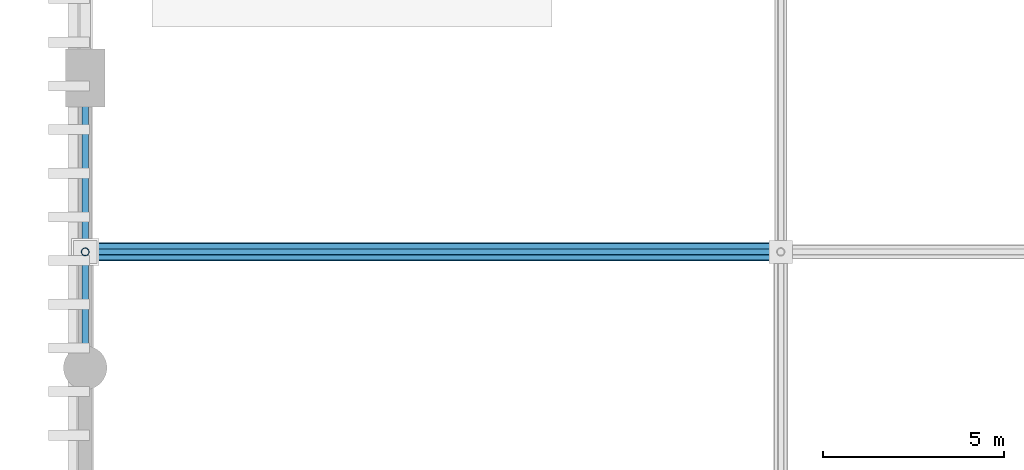
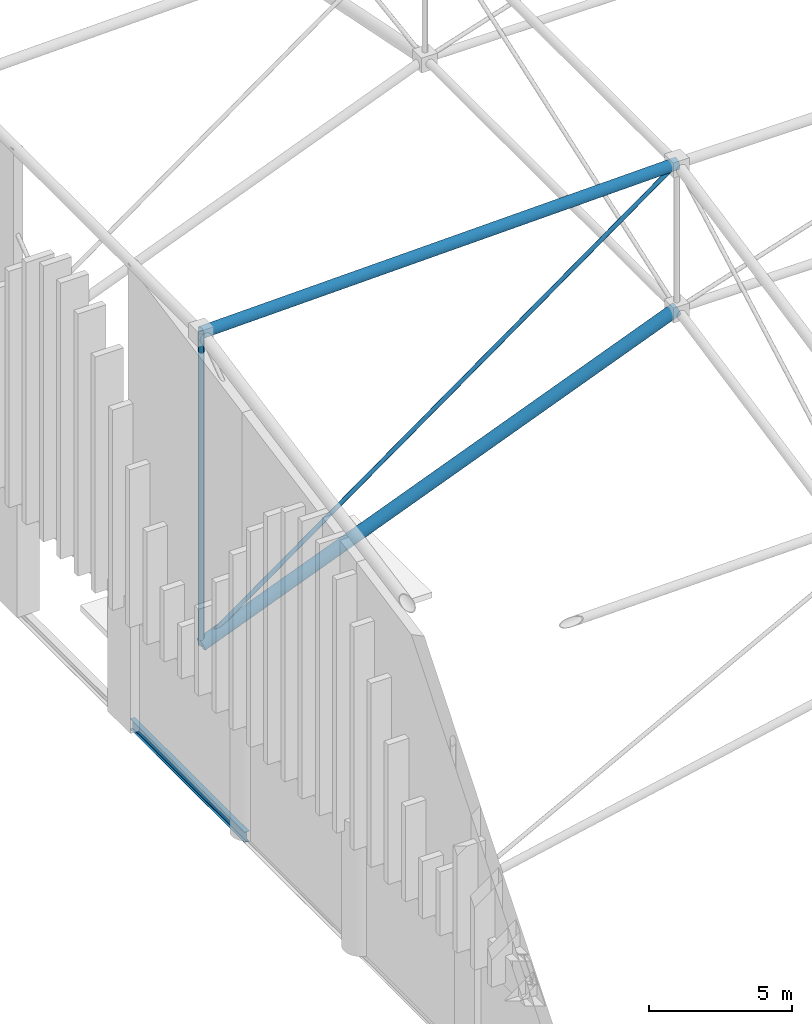
# One storey, part 51 of 193: 4 members, 1 beam.
"""IFC4 building model written with IfcOpenShell, lengths in metres."""

from ifc_helpers import new_model, si_unit, direction, frame, origin, origin_2d, place, context, subcontext, project, spatial, hollow_circle, i_section, extrude, material, material_profile, profile_set, type_object, element, save


model = new_model("IFC4")

# Units and contexts
model_context = context("Model", 3, precision=1e-05, world=origin(), true_north=direction((0.0, 1.0)))
body_context = subcontext(model_context, "Body", "Model", "MODEL_VIEW")
ifc_project = project(units=[si_unit("LENGTHUNIT", "METRE"), si_unit("AREAUNIT", "SQUARE_METRE"), si_unit("VOLUMEUNIT", "CUBIC_METRE"), si_unit("PLANEANGLEUNIT", "RADIAN"), si_unit("MASSUNIT", "GRAM", prefix="KILO")], contexts=[model_context])

# Site, building, storey
site_placement = place(None, origin())
site = spatial("IfcSite", under=ifc_project, at=site_placement, CompositionType="ELEMENT")
building_placement = place(site_placement, origin())
building = spatial("IfcBuilding", under=site, at=building_placement, Name="Danafjord Basin Convention Centre", CompositionType="ELEMENT")
storey_placement = place(building_placement, frame((0.0, 0.0, 11.39990234375)))
storey = spatial("IfcBuildingStorey", under=building, at=storey_placement, Name="L02", CompositionType="ELEMENT", Elevation=11.39990234375)

# Beam
ifc_material = material(Name="Steel S355", Category="steel")
ifc_material_profile_1 = material_profile(ifc_material, i_section(OverallWidth=0.18994140625, OverallDepth=0.449951171875, WebThickness=0.009521484375, FlangeThickness=0.0146484375, FilletRadius=0.02099609375, at=origin_2d()), Name="IPE 450")
ifc_profile_set_1 = profile_set([ifc_material_profile_1], Name="Steel S355")
beam_type = type_object("IfcBeamType", Name="BEAM-SP-IPE450", PredefinedType="SPANDREL", material=ifc_profile_set_1)
beam_placement = place(storey_placement, frame((0.0, 88.0, -0.224853515625), z_axis=(0.0, 1.0, 0.0), x_axis=(-1.0, 0.0, 0.0)))
element("IfcBeam", 1, at=beam_placement, inside=storey, type_object=beam_type, Name="L02 transverse girder SP-IPE450", PredefinedType="SPANDREL", context=body_context, shape_type="SweptSolid", body=[
    extrude(i_section(OverallWidth=0.18994140625, OverallDepth=0.449951171875, WebThickness=0.009521484375, FlangeThickness=0.0146484375, FilletRadius=0.02099609375, at=origin_2d()), origin(), (0.0, 0.0, 1.0), 8.0),
])

# Members
ifc_material_profile_2 = material_profile(ifc_material, hollow_circle(Radius=0.228515625, WallThickness=0.02001953125, at=origin_2d()), Name="CHS 457.0x20.0")
ifc_profile_set_2 = profile_set([ifc_material_profile_2], Name="Steel S355")
member_type_1 = type_object("IfcMemberType", Name="MEM-CH-CHS457", PredefinedType="CHORD", material=ifc_profile_set_2)
member_1_placement = place(storey_placement, frame((0.0, 91.199951171875, 19.360595703125), z_axis=(0.999667997744, 0.0, 0.025766146147), x_axis=(0.0, 1.0, 0.0)))
element("IfcMember", 2, at=member_1_placement, inside=storey, type_object=member_type_1, Name="V1 roof truss longitudinal top chord", PredefinedType="CHORD", context=body_context, shape_type="SweptSolid", body=[
    extrude(hollow_circle(Radius=0.228515625, WallThickness=0.02001953125, at=origin_2d()), origin(), (0.0, 0.0, 1.0), 19.206298828125),
])
ifc_material_profile_3 = material_profile(ifc_material, hollow_circle(Radius=0.25390625, WallThickness=0.02490234375, at=origin_2d()), Name="CHS 508.0x25.0")
ifc_profile_set_3 = profile_set([ifc_material_profile_3], Name="Steel S355")
member_type_2 = type_object("IfcMemberType", Name="MEM-CH-CHS508", PredefinedType="CHORD", material=ifc_profile_set_3)
member_2_placement = place(storey_placement, frame((0.0, 91.199951171875, 6.050048828125), z_axis=(0.929715641975, 0.0, 0.368278189779), x_axis=(0.0, 1.0, 0.0)))
element("IfcMember", 3, at=member_2_placement, inside=storey, type_object=member_type_2, Name="V1 roof truss longitudinal bottom chord", PredefinedType="CHORD", context=body_context, shape_type="SweptSolid", body=[
    extrude(hollow_circle(Radius=0.25390625, WallThickness=0.02490234375, at=origin_2d()), origin(), (0.0, 0.0, 1.0), 20.6513671875),
])
ifc_material_profile_4 = material_profile(ifc_material, hollow_circle(Radius=0.109619140625, WallThickness=0.010009765625, at=origin_2d()), Name="CHS 219.1x10.0")
ifc_profile_set_4 = profile_set([ifc_material_profile_4], Name="Steel S355")
member_type_3 = type_object("IfcMemberType", Name="MEM-ST-CHS219", PredefinedType="STRUT", material=ifc_profile_set_4)
member_3_placement = place(storey_placement, frame((0.0, 91.199951171875, 6.050048828125), z_axis=(0.0, 0.0, 1.0), x_axis=(1.0, 0.0, 0.0)))
element("IfcMember", 4, at=member_3_placement, inside=storey, type_object=member_type_3, Name="V1 roof truss vertical strut", PredefinedType="STRUT", context=body_context, shape_type="SweptSolid", body=[
    extrude(hollow_circle(Radius=0.109619140625, WallThickness=0.010009765625, at=origin_2d()), origin(), (0.0, 0.0, 1.0), 13.310546875),
])
ifc_material_profile_5 = material_profile(ifc_material, hollow_circle(Radius=0.084228515625, WallThickness=0.008056640625, at=origin_2d()), Name="CHS 168.3x8.0")
ifc_profile_set_5 = profile_set([ifc_material_profile_5], Name="Steel S355")
member_type_4 = type_object("IfcMemberType", Name="MEM-WB-CHS168", PredefinedType="MEMBER", material=ifc_profile_set_5)
member_4_placement = place(storey_placement, frame((0.0, 91.199951171875, 6.050048828125), z_axis=(0.811906034959, 0.0, 0.583788138281), x_axis=(0.0, 1.0, 0.0)))
element("IfcMember", 5, at=member_4_placement, inside=storey, type_object=member_type_4, Name="V1 space-frame longitudinal web", PredefinedType="MEMBER", context=body_context, shape_type="SweptSolid", body=[
    extrude(hollow_circle(Radius=0.084228515625, WallThickness=0.008056640625, at=origin_2d()), origin(), (0.0, 0.0, 1.0), 23.64794921875),
])

save(model, "model.ifc")
